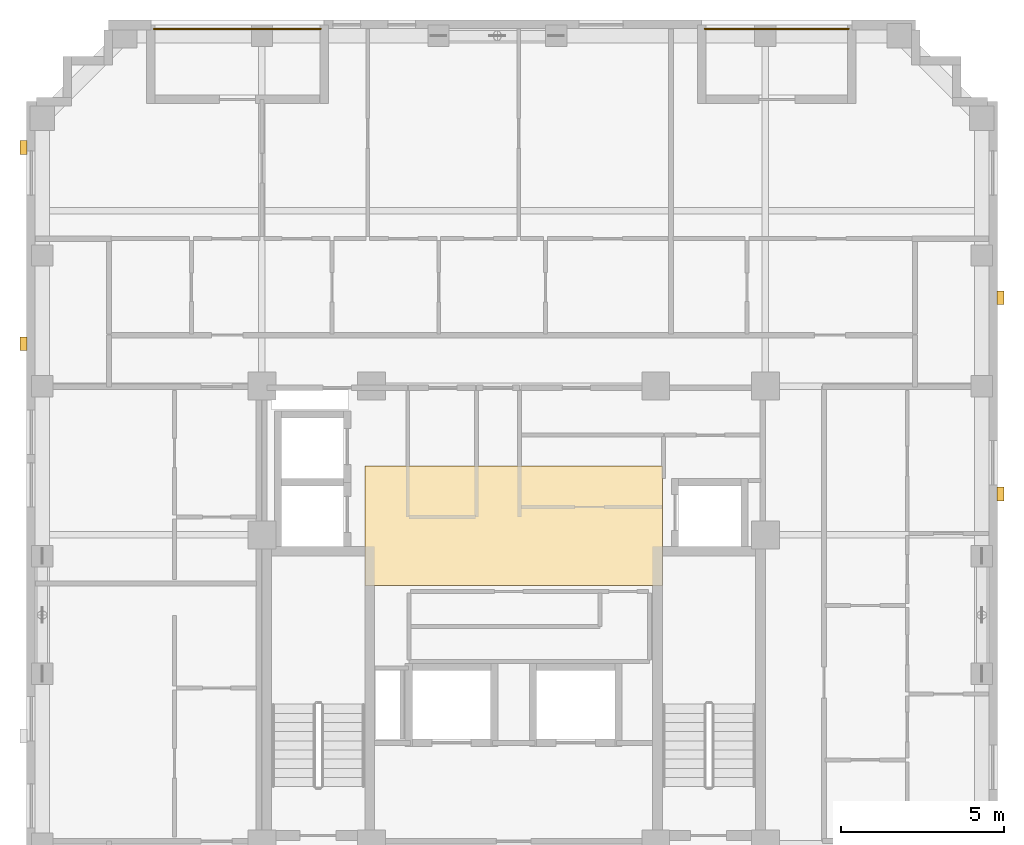
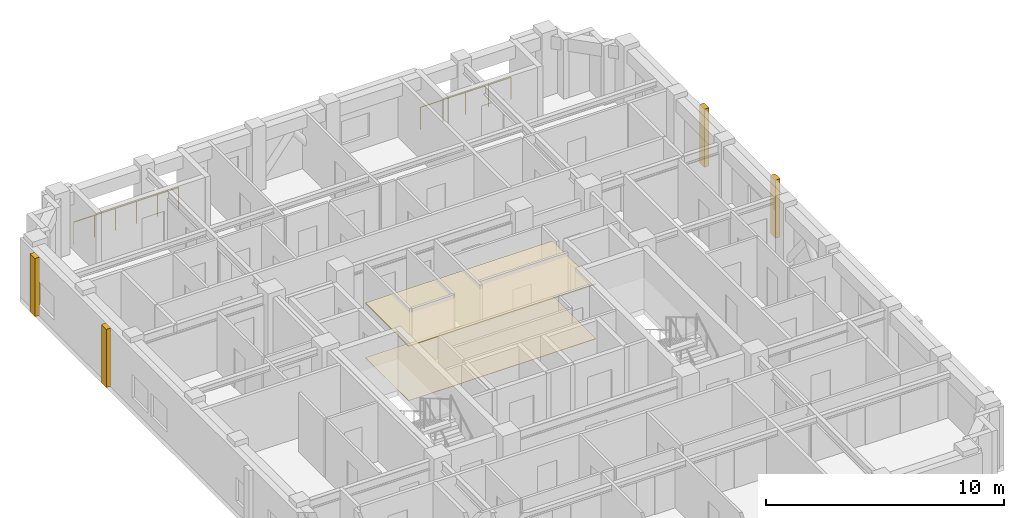
# One storey, part 10 of 10: 6 coverings, 2 railings.
"""IFC4 building model written with IfcOpenShell, lengths in metres."""

from ifc_helpers import new_model, si_unit, derived_unit, direction, frame, origin, origin_2d, place, context, subcontext, project, spatial, polyline, rectangle, circle, outline, extrude, material, layer, layer_set, type_object, element, save


model = new_model("IFC4")

# Units and contexts
model_context = context("Model", 3, precision=1e-05, world=origin(), true_north=direction((0.0, 1.0)))
body_context = subcontext(model_context, "Body", "Model", "MODEL_VIEW")
ifc_project = project(units=[si_unit("LENGTHUNIT", "METRE"), si_unit("AREAUNIT", "SQUARE_METRE"), si_unit("VOLUMEUNIT", "CUBIC_METRE"), si_unit("PLANEANGLEUNIT", "RADIAN"), si_unit("MASSUNIT", "GRAM", prefix="KILO"), derived_unit("THERMALTRANSMITTANCEUNIT", [(si_unit("MASSUNIT", "GRAM", prefix="KILO"), 1), (si_unit("TIMEUNIT", "SECOND"), -3), (si_unit("THERMODYNAMICTEMPERATUREUNIT", "KELVIN"), -1)])], contexts=[model_context])

# Site, building, storey
site_placement = place(None, origin())
site = spatial("IfcSite", under=ifc_project, at=site_placement, CompositionType="ELEMENT")
building_placement = place(site_placement, origin())
building = spatial("IfcBuilding", under=site, at=building_placement, Name="Korrvale Station Residences", CompositionType="ELEMENT")
storey_placement = place(building_placement, frame((0.0, 0.0, 200.800048828125)))
storey = spatial("IfcBuildingStorey", under=building, at=storey_placement, Name="L58", CompositionType="ELEMENT", Elevation=200.800048828125)

# Coverings
ifc_material_1 = material(Name="Perforated acoustic mineral-fibre suspended ceiling", Category="gypsum")
ifc_layer_1 = layer(ifc_material_1, 0.050048828125, Name="Perforated acoustic mineral-fibre suspended ceiling")
ifc_layer_set_1 = layer_set([ifc_layer_1], Name="Perforated acoustic mineral-fibre suspended ceiling")
covering_type_1 = type_object("IfcCoveringType", Name="COV-CLG-AC60", PredefinedType="CEILING", material=ifc_layer_set_1)
covering_1_placement = place(storey_placement, frame((0.0, 0.0, 2.7900390625)))
element("IfcCovering", 1, at=covering_1_placement, inside=storey, type_object=covering_type_1, Name="L58 Elevator Lobby Acoustic Ceiling", PredefinedType="CEILING", context=body_context, shape_type="SweptSolid", body=[
    extrude(outline(polyline([(20.949951171875, 22.89990234375), (30.050048828125, 22.89990234375), (30.050048828125, 26.550048828125), (20.949951171875, 26.550048828125), (20.949951171875, 22.89990234375)])), origin(), (0.0, 0.0, 1.0), 0.0498046875),
])
ifc_material_2 = material(Name="Polished quartz-terrazzo lobby flooring", Category="masonry")
ifc_layer_2 = layer(ifc_material_2, 0.02001953125, Name="Polished quartz-terrazzo lobby flooring")
ifc_layer_set_2 = layer_set([ifc_layer_2], Name="Polished quartz-terrazzo lobby flooring")
covering_type_2 = type_object("IfcCoveringType", Name="COV-FLR-TER20", PredefinedType="FLOORING", material=ifc_layer_set_2)
covering_2_placement = place(storey_placement, origin())
element("IfcCovering", 2, at=covering_2_placement, inside=storey, type_object=covering_type_2, Name="L58 Elevator Lobby Terrazzo Flooring", PredefinedType="FLOORING", context=body_context, shape_type="SweptSolid", body=[
    extrude(outline(polyline([(20.949951171875, 22.89990234375), (30.050048828125, 22.89990234375), (30.050048828125, 26.550048828125), (20.949951171875, 26.550048828125), (20.949951171875, 22.89990234375)])), origin(), (0.0, 0.0, 1.0), 0.02001953125),
])
ifc_material_3 = material(Name="Architectural precast concrete C45/55", Category="concrete")
ifc_layer_3 = layer(ifc_material_3, 0.219970703125, Name="Architectural precast concrete C45/55")
ifc_layer_set_3 = layer_set([ifc_layer_3], Name="Architectural precast concrete C45/55")
covering_type_3 = type_object("IfcCoveringType", Name="COV-PIER-400", PredefinedType="CLADDING", material=ifc_layer_set_3)
for number, where, z_axis, x_axis, name in (
    (3, (10.510009765625, 30.300048828125, 0.02490234375), (0.0, 0.0, 1.0), (0.0, 1.0, 0.0), "L58 Architectural Precast Facade Pier 04"),
    (4, (10.510009765625, 36.300048828125, 0.02490234375), (0.0, 0.0, 1.0), (0.0, 1.0, 0.0), "L58 Architectural Precast Facade Pier 05"),
    (5, (40.389892578125, 31.699951171875, 0.02490234375), (0.0, 0.0, 1.0), (0.0, 1.0, 0.0), "L58 Architectural Precast Facade Pier 06"),
    (6, (40.389892578125, 25.699951171875, 0.02490234375), (0.0, 0.0, 1.0), (0.0, 1.0, 0.0), "L58 Architectural Precast Facade Pier 07"),
):
    element("IfcCovering", number, at=place(storey_placement, frame(where, z_axis=z_axis, x_axis=x_axis)), inside=storey, type_object=covering_type_3, Name=name, PredefinedType="CLADDING", context=body_context, shape_type="SweptSolid", body=[
        extrude(rectangle(XDim=0.419921875, YDim=0.219970703125, at=origin_2d()), origin(), (0.0, 0.0, 1.0), 2.989990234375),
    ])

# Railings
ifc_material_4 = material(Name="Powder-coated aluminium picket loggia guard", Category="aluminium")
railing_type = type_object("IfcRailingType", Name="RLG-BAL-1150", PredefinedType="GUARDRAIL", material=ifc_material_4)
railing_1_placement = place(storey_placement, frame((14.5, 39.929931640625, 0.0)))
element("IfcRailing", 7, at=railing_1_placement, inside=storey, type_object=railing_type, Name="L58 Recessed Loggia Guardrail BAL-L58-N2", PredefinedType="GUARDRAIL", context=body_context, shape_type="SweptSolid", body=[
    extrude(circle(Radius=0.02392578125, at=origin_2d()), frame((0.0, 0.0, 1.1259765625), z_axis=(1.0, 0.0, 0.0), x_axis=(0.0, 1.0, 0.0)), (0.0, 0.0, 1.0), 5.10009765625),
    extrude(circle(Radius=0.02099609375, at=origin_2d()), origin(), (0.0, 0.0, 1.0), 1.101806640625),
    extrude(circle(Radius=0.02099609375, at=origin_2d()), frame((1.02001953125, 0.0, 0.0)), (0.0, 0.0, 1.0), 1.101806640625),
    extrude(circle(Radius=0.02099609375, at=origin_2d()), frame((2.0400390625, 0.0, 0.0)), (0.0, 0.0, 1.0), 1.101806640625),
    extrude(circle(Radius=0.02099609375, at=origin_2d()), frame((3.06005859375, 0.0, 0.0)), (0.0, 0.0, 1.0), 1.101806640625),
    extrude(circle(Radius=0.02099609375, at=origin_2d()), frame((4.080078125, 0.0, 0.0)), (0.0, 0.0, 1.0), 1.101806640625),
    extrude(circle(Radius=0.02099609375, at=origin_2d()), frame((5.10009765625, 0.0, 0.0)), (0.0, 0.0, 1.0), 1.101806640625),
])
railing_2_placement = place(storey_placement, frame((31.35009765625, 39.929931640625, 0.0)))
element("IfcRailing", 8, at=railing_2_placement, inside=storey, type_object=railing_type, Name="L58 Recessed Loggia Guardrail BAL-L58-N1", PredefinedType="GUARDRAIL", context=body_context, shape_type="SweptSolid", body=[
    extrude(circle(Radius=0.02392578125, at=origin_2d()), frame((0.0, 0.0, 1.1259765625), z_axis=(1.0, 0.0, 0.0), x_axis=(0.0, 1.0, 0.0)), (0.0, 0.0, 1.0), 4.39990234375),
    extrude(circle(Radius=0.02099609375, at=origin_2d()), origin(), (0.0, 0.0, 1.0), 1.101806640625),
    extrude(circle(Radius=0.02099609375, at=origin_2d()), frame((1.10009765625, 0.0, 0.0)), (0.0, 0.0, 1.0), 1.101806640625),
    extrude(circle(Radius=0.02099609375, at=origin_2d()), frame((2.199951171875, 0.0, 0.0)), (0.0, 0.0, 1.0), 1.101806640625),
    extrude(circle(Radius=0.02099609375, at=origin_2d()), frame((3.2998046875, 0.0, 0.0)), (0.0, 0.0, 1.0), 1.101806640625),
    extrude(circle(Radius=0.02099609375, at=origin_2d()), frame((4.39990234375, 0.0, 0.0)), (0.0, 0.0, 1.0), 1.101806640625),
])

save(model, "model.ifc")
